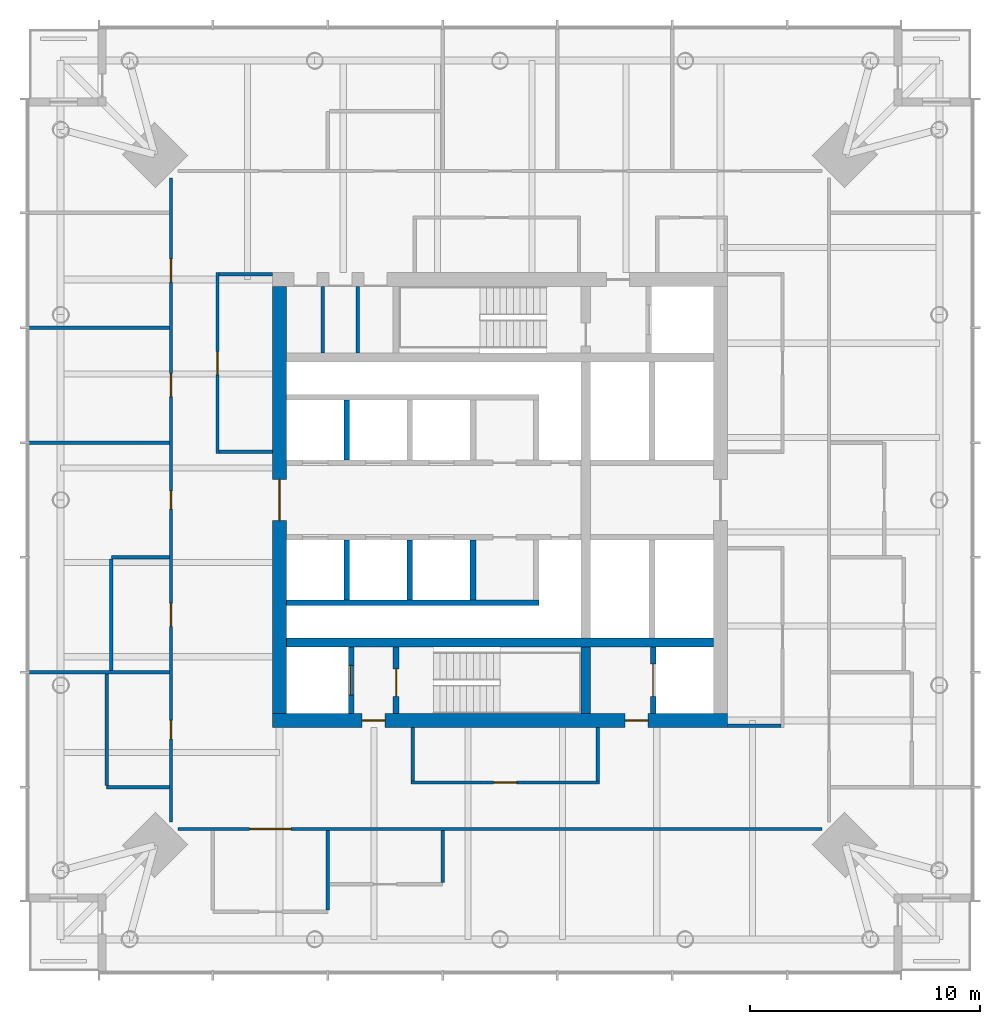
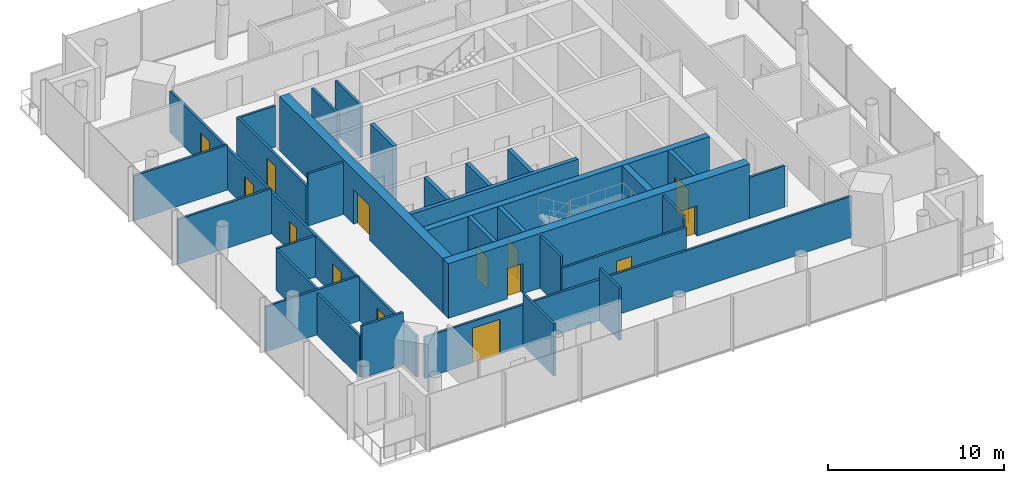
# One storey, part 4 of 8: 32 walls, 14 doors, 14 openings.
"""IFC4 building model written with IfcOpenShell, lengths in metres."""

from ifc_helpers import new_model, si_unit, direction, frame, frame_2d, origin, place, context, subcontext, project, spatial, rectangle, extrude, material, layer, layer_set, type_object, element, fill, save


model = new_model("IFC4")

# Units and contexts
model_context = context("Model", 3, precision=1e-05, world=origin(), true_north=direction((0.0, 1.0)))
body_context = subcontext(model_context, "Body", "Model", "MODEL_VIEW")
ifc_project = project(units=[si_unit("LENGTHUNIT", "METRE"), si_unit("AREAUNIT", "SQUARE_METRE"), si_unit("VOLUMEUNIT", "CUBIC_METRE"), si_unit("PLANEANGLEUNIT", "RADIAN"), si_unit("MASSUNIT", "GRAM", prefix="KILO")], contexts=[model_context])

# Site, building, storey
site_placement = place(None, origin())
site = spatial("IfcSite", under=ifc_project, at=site_placement, CompositionType="ELEMENT")
building_placement = place(site_placement, origin())
building = spatial("IfcBuilding", under=site, at=building_placement, Name="Ostroluk Exchange", CompositionType="ELEMENT")
storey_placement = place(building_placement, frame((0.0, 0.0, 173.0)))
storey = spatial("IfcBuildingStorey", under=building, at=storey_placement, Name="L44", CompositionType="ELEMENT", Elevation=173.0)

# Walls
ifc_material_1 = material(Name="Concrete blockwork", Category="masonry")
ifc_layer_1 = layer(ifc_material_1, 0.14990234375)
ifc_layer_set_1 = layer_set([ifc_layer_1], Name="Blockwork plant room wall 150")
wall_type_1 = type_object("IfcWallType", Name="Blockwork plant room wall 150", PredefinedType="SOLIDWALL", material=ifc_layer_set_1)
for number, where, z_axis, x_axis, name in (
    (1, (37.281005859375, 52.39990234375, 0.0), (0.0, 0.0, 1.0), (0.0, 1.0, 0.0), "Core room wall"),
    (2, (38.8154296875, 52.39990234375, 0.0), (0.0, 0.0, 1.0), (0.0, 1.0, 0.0), "Core room wall"),
):
    element("IfcWall", number, at=place(storey_placement, frame(where, z_axis=z_axis, x_axis=x_axis)), inside=storey, type_object=wall_type_1, Name=name, PredefinedType="SOLIDWALL", context=body_context, shape_type="SweptSolid", body=[
        extrude(rectangle(XDim=2.900146484375, YDim=0.14990234375, at=frame_2d((1.4501953125, 0.0))), origin(), (0.0, 0.0, 1.0), 3.6201171875),
    ])
ifc_material_2 = material(Name="Concrete C50/60", Category="concrete")
ifc_layer_2 = layer(ifc_material_2, 0.39990234375)
ifc_layer_set_2 = layer_set([ifc_layer_2], Name="Core cross wall 400 C50/60")
wall_type_2 = type_object("IfcWallType", Name="Core cross wall 400 C50/60", PredefinedType="SHEAR", material=ifc_layer_set_2)
wall_1_placement = place(storey_placement, frame((35.699951171875, 39.800048828125, 0.0), z_axis=(0.0, 0.0, 1.0), x_axis=(1.0, 0.0, 0.0)))
element("IfcWall", 3, at=wall_1_placement, inside=storey, type_object=wall_type_2, Name="T1 core wall XS", PredefinedType="SHEAR", context=body_context, shape_type="SweptSolid", body=[
    extrude(rectangle(XDim=18.60009765625, YDim=0.39990234375, at=frame_2d((9.300048828125, 0.0))), origin(), (0.0, 0.0, 1.0), 3.800048828125),
])
wall_2_placement = place(storey_placement, frame((48.72998046875, 36.699951171875, 0.0), z_axis=(0.0, 0.0, 1.0), x_axis=(0.0, 1.0, 0.0)))
element("IfcWall", 4, at=wall_2_placement, inside=storey, type_object=wall_type_2, Name="T1 core wall YE1", PredefinedType="SHEAR", context=body_context, shape_type="SweptSolid", body=[
    extrude(rectangle(XDim=2.900146484375, YDim=0.39990234375, at=frame_2d((1.4501953125, 0.0))), origin(), (0.0, 0.0, 1.0), 3.800048828125),
])

# Wall, opening, door
ifc_material_3 = material(Name="Concrete C40/50", Category="concrete")
ifc_layer_3 = layer(ifc_material_3, 0.25)
ifc_layer_set_3 = layer_set([ifc_layer_3], Name="Core shaft wall 250")
wall_type_3 = type_object("IfcWallType", Name="Core shaft wall 250", PredefinedType="SHEAR", material=ifc_layer_set_3)
wall_3_placement = place(storey_placement, frame((38.52490234375, 36.699951171875, 0.0), z_axis=(0.0, 0.0, 1.0), x_axis=(0.0, 1.0, 0.0)))
wall_3 = element("IfcWall", 5, at=wall_3_placement, inside=storey, type_object=wall_type_3, Name="Firefighting lift shaft wall", PredefinedType="SHEAR", context=body_context, shape_type="SweptSolid", body=[
    extrude(rectangle(XDim=2.900146484375, YDim=0.25, at=frame_2d((1.4501953125, 0.0))), origin(), (0.0, 0.0, 1.0), 3.800048828125),
])
opening_1_placement = place(wall_3_placement, frame((0.800048828125, 0.0, 0.0)))
opening_1 = element("IfcOpeningElement", 6, at=opening_1_placement, cuts=wall_3, Name="Opening LD2", PredefinedType="OPENING", context=body_context, shape_type="SweptSolid", body=[
    extrude(rectangle(XDim=1.300048828125, YDim=2.199951171875, at=frame_2d((0.64990234375, 1.10009765625))), frame((0.0, 0.135009765625, 0.0), z_axis=(0.0, -1.0, 0.0), x_axis=(1.0, 0.0, 0.0)), (0.0, 0.0, 1.0), 0.27001953125),
])
ifc_material_4 = material(Name="Stainless steel", Category="steel")
door_type_1 = type_object("IfcDoorType", Name="Lift landing door E 60 1300 x 2200", OperationType="DOUBLE_DOOR_SLIDING", PredefinedType="DOOR", material=ifc_material_4)
door_1_placement = place(opening_1_placement, origin())
door_1 = element("IfcDoor", 7, at=door_1_placement, inside=storey, type_object=door_type_1, Name="Lift FL1 landing door", OperationType="DOUBLE_DOOR_SLIDING", OverallHeight=2.199951171875, OverallWidth=1.300048828125, PredefinedType="DOOR", context=body_context, shape_type="SweptSolid", body=[
    extrude(rectangle(XDim=1.300048828125, YDim=2.199951171875, at=frame_2d((0.64990234375, 1.10009765625))), frame((0.0, 0.02490234375, 0.0), z_axis=(0.0, -1.0, 0.0), x_axis=(1.0, 0.0, 0.0)), (0.0, 0.0, 1.0), 0.050048828125),
])
fill(opening_1, door_1)

wall_4_placement = place(storey_placement, frame((40.47509765625, 36.699951171875, 0.0), z_axis=(0.0, 0.0, 1.0), x_axis=(0.0, 1.0, 0.0)))
wall_4 = element("IfcWall", 8, at=wall_4_placement, inside=storey, type_object=wall_type_3, Name="Stair shaft wall", PredefinedType="SHEAR", context=body_context, shape_type="SweptSolid", body=[
    extrude(rectangle(XDim=2.900146484375, YDim=0.25, at=frame_2d((1.4501953125, 0.0))), origin(), (0.0, 0.0, 1.0), 3.800048828125),
])
opening_2_placement = place(wall_4_placement, frame((0.75, 0.0, 0.0)))
opening_2 = element("IfcOpeningElement", 9, at=opening_2_placement, cuts=wall_4, Name="Opening FD60S", PredefinedType="OPENING", context=body_context, shape_type="SweptSolid", body=[
    extrude(rectangle(XDim=1.199951171875, YDim=2.10009765625, at=frame_2d((0.60009765625, 1.050048828125))), frame((0.0, 0.135009765625, 0.0), z_axis=(0.0, -1.0, 0.0), x_axis=(1.0, 0.0, 0.0)), (0.0, 0.0, 1.0), 0.27001953125),
])
ifc_material_5 = material(Name="Steel", Category="steel")
door_type_2 = type_object("IfcDoorType", Name="Stair door EI 60 1200 x 2100", OperationType="SINGLE_SWING_LEFT", PredefinedType="DOOR", material=ifc_material_5)
door_2_placement = place(opening_2_placement, origin())
door_2 = element("IfcDoor", 10, at=door_2_placement, inside=storey, type_object=door_type_2, Name="Stair T1-S1 door", OperationType="SINGLE_SWING_LEFT", OverallHeight=2.10009765625, OverallWidth=1.199951171875, PredefinedType="DOOR", context=body_context, shape_type="SweptSolid", body=[
    extrude(rectangle(XDim=1.199951171875, YDim=2.10009765625, at=frame_2d((0.60009765625, 1.050048828125))), frame((0.0, 0.02490234375, 0.0), z_axis=(0.0, -1.0, 0.0), x_axis=(1.0, 0.0, 0.0)), (0.0, 0.0, 1.0), 0.050048828125),
])
fill(opening_2, door_2)

wall_5_placement = place(storey_placement, frame((51.675048828125, 36.699951171875, 0.0), z_axis=(0.0, 0.0, 1.0), x_axis=(0.0, 1.0, 0.0)))
wall_5 = element("IfcWall", 11, at=wall_5_placement, inside=storey, type_object=wall_type_3, Name="Service lift shaft wall", PredefinedType="SHEAR", context=body_context, shape_type="SweptSolid", body=[
    extrude(rectangle(XDim=2.900146484375, YDim=0.25, at=frame_2d((1.4501953125, 0.0))), origin(), (0.0, 0.0, 1.0), 3.800048828125),
])
opening_3_placement = place(wall_5_placement, frame((0.75, 0.0, 0.0)))
opening_3 = element("IfcOpeningElement", 12, at=opening_3_placement, cuts=wall_5, Name="Opening LD3", PredefinedType="OPENING", context=body_context, shape_type="SweptSolid", body=[
    extrude(rectangle(XDim=1.39990234375, YDim=2.39990234375, at=frame_2d((0.699951171875, 1.199951171875))), frame((0.0, 0.135009765625, 0.0), z_axis=(0.0, -1.0, 0.0), x_axis=(1.0, 0.0, 0.0)), (0.0, 0.0, 1.0), 0.27001953125),
])
ifc_material_6 = material(Name="Stainless steel", Category="steel")
door_type_3 = type_object("IfcDoorType", Name="Goods lift landing door E 60 1400 x 2400", OperationType="DOUBLE_DOOR_SLIDING", PredefinedType="DOOR", material=ifc_material_6)
door_3_placement = place(opening_3_placement, origin())
door_3 = element("IfcDoor", 13, at=door_3_placement, inside=storey, type_object=door_type_3, Name="Lift SL1 landing door", OperationType="DOUBLE_DOOR_SLIDING", OverallHeight=2.39990234375, OverallWidth=1.39990234375, PredefinedType="DOOR", context=body_context, shape_type="SweptSolid", body=[
    extrude(rectangle(XDim=1.39990234375, YDim=2.39990234375, at=frame_2d((0.699951171875, 1.199951171875))), frame((0.0, 0.02490234375, 0.0), z_axis=(0.0, -1.0, 0.0), x_axis=(1.0, 0.0, 0.0)), (0.0, 0.0, 1.0), 0.050048828125),
])
fill(opening_3, door_3)

# Walls
for number, where, z_axis, x_axis, name in (
    (14, (38.324951171875, 47.75, 0.0), (0.0, 0.0, 1.0), (0.0, 1.0, 0.0), "Lift shaft wall"),
    (15, (38.324951171875, 44.25, 0.0), (0.0, 0.0, 1.0), (0.0, -1.0, 0.0), "Lift shaft wall"),
    (16, (41.074951171875, 44.25, 0.0), (0.0, 0.0, 1.0), (0.0, -1.0, 0.0), "Lift shaft wall"),
    (17, (43.824951171875, 44.25, 0.0), (0.0, 0.0, 1.0), (0.0, -1.0, 0.0), "Lift shaft wall"),
):
    element("IfcWall", number, at=place(storey_placement, frame(where, z_axis=z_axis, x_axis=x_axis)), inside=storey, type_object=wall_type_3, Name=name, PredefinedType="SHEAR", context=body_context, shape_type="SweptSolid", body=[
        extrude(rectangle(XDim=2.60009765625, YDim=0.25, at=frame_2d((1.300048828125, 0.0))), origin(), (0.0, 0.0, 1.0), 3.800048828125),
    ])
wall_6_placement = place(storey_placement, frame((35.699951171875, 41.52490234375, 0.0), z_axis=(0.0, 0.0, 1.0), x_axis=(1.0, 0.0, 0.0)))
element("IfcWall", 18, at=wall_6_placement, inside=storey, type_object=wall_type_3, Name="Lift shaft wall", PredefinedType="SHEAR", context=body_context, shape_type="SweptSolid", body=[
    extrude(rectangle(XDim=11.0, YDim=0.25, at=frame_2d((5.5, 0.0))), origin(), (0.0, 0.0, 1.0), 3.800048828125),
])

# Wall, openings, doors
ifc_material_7 = material(Name="Concrete C50/60", Category="concrete")
ifc_layer_4 = layer(ifc_material_7, 0.60009765625)
ifc_layer_set_4 = layer_set([ifc_layer_4], Name="Core wall 600 C50/60")
wall_type_4 = type_object("IfcWallType", Name="Core wall 600 C50/60", PredefinedType="SHEAR", material=ifc_layer_set_4)
wall_7_placement = place(storey_placement, frame((35.10009765625, 36.39990234375, 0.0), z_axis=(0.0, 0.0, 1.0), x_axis=(1.0, 0.0, 0.0)))
wall_7 = element("IfcWall", 19, at=wall_7_placement, inside=storey, type_object=wall_type_4, Name="T1 core wall S", PredefinedType="SHEAR", context=body_context, shape_type="SweptSolid", body=[
    extrude(rectangle(XDim=19.7998046875, YDim=0.60009765625, at=frame_2d((9.89990234375, 0.0))), origin(), (0.0, 0.0, 1.0), 3.800048828125),
])
opening_4_placement = place(wall_7_placement, frame((3.89990234375, 0.0, 0.0)))
opening_4 = element("IfcOpeningElement", 20, at=opening_4_placement, cuts=wall_7, Name="Opening FD60", PredefinedType="OPENING", context=body_context, shape_type="SweptSolid", body=[
    extrude(rectangle(XDim=1.0, YDim=2.10009765625, at=frame_2d((0.5, 1.050048828125))), frame((0.0, 0.31005859375, 0.0), z_axis=(0.0, -1.0, 0.0), x_axis=(1.0, 0.0, 0.0)), (0.0, 0.0, 1.0), 0.6201171875),
])
opening_5_placement = place(wall_7_placement, frame((15.35009765625, 0.0, 0.0)))
opening_5 = element("IfcOpeningElement", 21, at=opening_5_placement, cuts=wall_7, Name="Opening FD60", PredefinedType="OPENING", context=body_context, shape_type="SweptSolid", body=[
    extrude(rectangle(XDim=1.0, YDim=2.10009765625, at=frame_2d((0.5, 1.050048828125))), frame((0.0, 0.31005859375, 0.0), z_axis=(0.0, -1.0, 0.0), x_axis=(1.0, 0.0, 0.0)), (0.0, 0.0, 1.0), 0.6201171875),
])
ifc_material_8 = material(Name="Steel", Category="steel")
door_type_4 = type_object("IfcDoorType", Name="Fire door EI 60 1000 x 2100", OperationType="SINGLE_SWING_LEFT", PredefinedType="DOOR", material=ifc_material_8)
door_4_placement = place(opening_4_placement, origin())
door_4 = element("IfcDoor", 22, at=door_4_placement, inside=storey, type_object=door_type_4, Name="Firefighting lobby door", OperationType="SINGLE_SWING_LEFT", OverallHeight=2.10009765625, OverallWidth=1.0, PredefinedType="DOOR", context=body_context, shape_type="SweptSolid", body=[
    extrude(rectangle(XDim=1.0, YDim=2.10009765625, at=frame_2d((0.5, 1.050048828125))), frame((0.0, 0.02490234375, 0.0), z_axis=(0.0, -1.0, 0.0), x_axis=(1.0, 0.0, 0.0)), (0.0, 0.0, 1.0), 0.050048828125),
])
fill(opening_4, door_4)
door_5_placement = place(opening_5_placement, origin())
door_5 = element("IfcDoor", 23, at=door_5_placement, inside=storey, type_object=door_type_4, Name="Service lobby door", OperationType="SINGLE_SWING_RIGHT", OverallHeight=2.10009765625, OverallWidth=1.0, PredefinedType="DOOR", context=body_context, shape_type="SweptSolid", body=[
    extrude(rectangle(XDim=1.0, YDim=2.10009765625, at=frame_2d((0.5, 1.050048828125))), frame((0.0, 0.02490234375, 0.0), z_axis=(0.0, -1.0, 0.0), x_axis=(1.0, 0.0, 0.0)), (0.0, 0.0, 1.0), 0.050048828125),
])
fill(opening_5, door_5)

# Wall, opening, door
wall_8_placement = place(storey_placement, frame((35.39990234375, 36.699951171875, 0.0), z_axis=(0.0, 0.0, 1.0), x_axis=(0.0, 1.0, 0.0)))
wall_8 = element("IfcWall", 24, at=wall_8_placement, inside=storey, type_object=wall_type_4, Name="T1 core wall W", PredefinedType="SHEAR", context=body_context, shape_type="SweptSolid", body=[
    extrude(rectangle(XDim=18.60009765625, YDim=0.60009765625, at=frame_2d((9.300048828125, 0.0))), origin(), (0.0, 0.0, 1.0), 3.800048828125),
])
opening_6_placement = place(wall_8_placement, frame((8.39990234375, 0.0, 0.0)))
opening_6 = element("IfcOpeningElement", 25, at=opening_6_placement, cuts=wall_8, Name="Opening FD30D", PredefinedType="OPENING", context=body_context, shape_type="SweptSolid", body=[
    extrude(rectangle(XDim=1.800048828125, YDim=2.39990234375, at=frame_2d((0.89990234375, 1.199951171875))), frame((0.0, 0.31005859375, 0.0), z_axis=(0.0, -1.0, 0.0), x_axis=(1.0, 0.0, 0.0)), (0.0, 0.0, 1.0), 0.6201171875),
])
ifc_material_9 = material(Name="Timber", Category="wood")
door_type_5 = type_object("IfcDoorType", Name="Lobby double door EI 30 1800 x 2400", OperationType="DOUBLE_DOOR_SINGLE_SWING", PredefinedType="DOOR", material=ifc_material_9)
door_6_placement = place(opening_6_placement, origin())
door_6 = element("IfcDoor", 26, at=door_6_placement, inside=storey, type_object=door_type_5, Name="Lift lobby doors", OperationType="DOUBLE_DOOR_SINGLE_SWING", OverallHeight=2.39990234375, OverallWidth=1.800048828125, PredefinedType="DOOR", context=body_context, shape_type="SweptSolid", body=[
    extrude(rectangle(XDim=1.800048828125, YDim=2.39990234375, at=frame_2d((0.89990234375, 1.199951171875))), frame((0.0, 0.02490234375, 0.0), z_axis=(0.0, -1.0, 0.0), x_axis=(1.0, 0.0, 0.0)), (0.0, 0.0, 1.0), 0.050048828125),
])
fill(opening_6, door_6)

# Wall
ifc_material_10 = material(Name="Gypsum plasterboard partition", Category="gypsum")
ifc_layer_5 = layer(ifc_material_10, 0.14990234375)
ifc_layer_set_5 = layer_set([ifc_layer_5], Name="Plasterboard partition 150")
wall_type_5 = type_object("IfcWallType", Name="Plasterboard partition 150", PredefinedType="PARTITIONING", material=ifc_layer_set_5)
wall_9_placement = place(storey_placement, frame((54.89990234375, 36.175048828125, 0.0), z_axis=(0.0, 0.0, 1.0), x_axis=(1.0, 0.0, 0.0)))
element("IfcWall", 27, at=wall_9_placement, inside=storey, type_object=wall_type_5, Name="Partition", PredefinedType="PARTITIONING", context=body_context, shape_type="SweptSolid", body=[
    extrude(rectangle(XDim=2.3251953125, YDim=0.14990234375, at=frame_2d((1.16259765625, 0.0))), origin(), (0.0, 0.0, 1.0), 2.866943359375),
])

# Wall, opening, door
wall_10_placement = place(storey_placement, frame((32.699951171875, 55.89990234375, 0.0), z_axis=(0.0, 0.0, 1.0), x_axis=(0.0, -1.0, 0.0)))
wall_10 = element("IfcWall", 28, at=wall_10_placement, inside=storey, type_object=wall_type_5, Name="Partition", PredefinedType="PARTITIONING", context=body_context, shape_type="SweptSolid", body=[
    extrude(rectangle(XDim=7.875, YDim=0.14990234375, at=frame_2d((3.9375, 0.0))), origin(), (0.0, 0.0, 1.0), 2.866943359375),
])
opening_7_placement = place(wall_10_placement, frame((3.4375, 0.0, 0.0)))
opening_7 = element("IfcOpeningElement", 29, at=opening_7_placement, cuts=wall_10, Name="Opening D-03", PredefinedType="OPENING", context=body_context, shape_type="SweptSolid", body=[
    extrude(rectangle(XDim=1.0, YDim=2.10009765625, at=frame_2d((0.5, 1.050048828125))), frame((0.0, 0.0849609375, 0.0), z_axis=(0.0, -1.0, 0.0), x_axis=(1.0, 0.0, 0.0)), (0.0, 0.0, 1.0), 0.169921875),
])
ifc_material_11 = material(Name="Timber", Category="wood")
door_type_6 = type_object("IfcDoorType", Name="Internal door 1000 x 2100", OperationType="SINGLE_SWING_LEFT", PredefinedType="DOOR", material=ifc_material_11)
door_7_placement = place(opening_7_placement, origin())
door_7 = element("IfcDoor", 30, at=door_7_placement, inside=storey, type_object=door_type_6, Name="Meeting room door", OperationType="SINGLE_SWING_LEFT", OverallHeight=2.10009765625, OverallWidth=1.0, PredefinedType="DOOR", context=body_context, shape_type="SweptSolid", body=[
    extrude(rectangle(XDim=1.0, YDim=2.10009765625, at=frame_2d((0.5, 1.050048828125))), frame((0.0, 0.02490234375, 0.0), z_axis=(0.0, -1.0, 0.0), x_axis=(1.0, 0.0, 0.0)), (0.0, 0.0, 1.0), 0.050048828125),
])
fill(opening_7, door_7)

# Walls
wall_11_placement = place(storey_placement, frame((35.10009765625, 55.824951171875, 0.0), z_axis=(0.0, 0.0, 1.0), x_axis=(-1.0, 0.0, 0.0)))
element("IfcWall", 31, at=wall_11_placement, inside=storey, type_object=wall_type_5, Name="Partition", PredefinedType="PARTITIONING", context=body_context, shape_type="SweptSolid", body=[
    extrude(rectangle(XDim=2.3251953125, YDim=0.14990234375, at=frame_2d((1.16259765625, 0.0))), origin(), (0.0, 0.0, 1.0), 2.866943359375),
])
wall_12_placement = place(storey_placement, frame((35.10009765625, 48.10009765625, 0.0), z_axis=(0.0, 0.0, 1.0), x_axis=(-1.0, 0.0, 0.0)))
element("IfcWall", 32, at=wall_12_placement, inside=storey, type_object=wall_type_5, Name="Partition", PredefinedType="PARTITIONING", context=body_context, shape_type="SweptSolid", body=[
    extrude(rectangle(XDim=2.3251953125, YDim=0.14990234375, at=frame_2d((1.16259765625, 0.0))), origin(), (0.0, 0.0, 1.0), 3.6201171875),
])

# Wall, opening, door
wall_13_placement = place(storey_placement, frame((41.125, 33.699951171875, 0.0), z_axis=(0.0, 0.0, 1.0), x_axis=(1.0, 0.0, 0.0)))
wall_13 = element("IfcWall", 33, at=wall_13_placement, inside=storey, type_object=wall_type_5, Name="Partition", PredefinedType="PARTITIONING", context=body_context, shape_type="SweptSolid", body=[
    extrude(rectangle(XDim=8.199951171875, YDim=0.14990234375, at=frame_2d((4.10009765625, 0.0))), origin(), (0.0, 0.0, 1.0), 2.866943359375),
])
opening_8_placement = place(wall_13_placement, frame((3.60009765625, 0.0, 0.0)))
opening_8 = element("IfcOpeningElement", 34, at=opening_8_placement, cuts=wall_13, Name="Opening D-03", PredefinedType="OPENING", context=body_context, shape_type="SweptSolid", body=[
    extrude(rectangle(XDim=1.0, YDim=2.10009765625, at=frame_2d((0.5, 1.050048828125))), frame((0.0, 0.0849609375, 0.0), z_axis=(0.0, -1.0, 0.0), x_axis=(1.0, 0.0, 0.0)), (0.0, 0.0, 1.0), 0.169921875),
])
door_8_placement = place(opening_8_placement, origin())
door_8 = element("IfcDoor", 35, at=door_8_placement, inside=storey, type_object=door_type_6, Name="Meeting room door", OperationType="SINGLE_SWING_LEFT", OverallHeight=2.10009765625, OverallWidth=1.0, PredefinedType="DOOR", context=body_context, shape_type="SweptSolid", body=[
    extrude(rectangle(XDim=1.0, YDim=2.10009765625, at=frame_2d((0.5, 1.050048828125))), frame((0.0, 0.02490234375, 0.0), z_axis=(0.0, -1.0, 0.0), x_axis=(1.0, 0.0, 0.0)), (0.0, 0.0, 1.0), 0.050048828125),
])
fill(opening_8, door_8)

# Walls
for number, where, z_axis, x_axis, name in (
    (36, (41.199951171875, 36.10009765625, 0.0), (0.0, 0.0, 1.0), (0.0, -1.0, 0.0), "Partition"),
    (37, (49.25, 36.10009765625, 0.0), (0.0, 0.0, 1.0), (0.0, -1.0, 0.0), "Partition"),
):
    element("IfcWall", number, at=place(storey_placement, frame(where, z_axis=z_axis, x_axis=x_axis)), inside=storey, type_object=wall_type_5, Name=name, PredefinedType="PARTITIONING", context=body_context, shape_type="SweptSolid", body=[
        extrude(rectangle(XDim=2.3251953125, YDim=0.14990234375, at=frame_2d((1.16259765625, 0.0))), origin(), (0.0, 0.0, 1.0), 3.6201171875),
    ])

# Wall, openings, doors
wall_14_placement = place(storey_placement, frame((30.675048828125, 60.028564453125, 0.0), z_axis=(0.0, 0.0, 1.0), x_axis=(0.0, -1.0, 0.0)))
wall_14 = element("IfcWall", 38, at=wall_14_placement, inside=storey, type_object=wall_type_5, Name="Partition", PredefinedType="PARTITIONING", context=body_context, shape_type="SweptSolid", body=[
    extrude(rectangle(XDim=28.05712890625, YDim=0.14990234375, at=frame_2d((14.028564453125, 0.0))), origin(), (0.0, 0.0, 1.0), 2.866943359375),
])
opening_9_placement = place(wall_14_placement, frame((3.528564453125, 0.0, 0.0)))
opening_9 = element("IfcOpeningElement", 39, at=opening_9_placement, cuts=wall_14, Name="Opening D-03", PredefinedType="OPENING", context=body_context, shape_type="SweptSolid", body=[
    extrude(rectangle(XDim=1.0, YDim=2.10009765625, at=frame_2d((0.5, 1.050048828125))), frame((0.0, 0.0849609375, 0.0), z_axis=(0.0, -1.0, 0.0), x_axis=(1.0, 0.0, 0.0)), (0.0, 0.0, 1.0), 0.169921875),
])
opening_10_placement = place(wall_14_placement, frame((8.528564453125, 0.0, 0.0)))
opening_10 = element("IfcOpeningElement", 40, at=opening_10_placement, cuts=wall_14, Name="Opening D-03", PredefinedType="OPENING", context=body_context, shape_type="SweptSolid", body=[
    extrude(rectangle(XDim=1.0, YDim=2.10009765625, at=frame_2d((0.5, 1.050048828125))), frame((0.0, 0.0849609375, 0.0), z_axis=(0.0, -1.0, 0.0), x_axis=(1.0, 0.0, 0.0)), (0.0, 0.0, 1.0), 0.169921875),
])
opening_11_placement = place(wall_14_placement, frame((13.628662109375, 0.0, 0.0)))
opening_11 = element("IfcOpeningElement", 41, at=opening_11_placement, cuts=wall_14, Name="Opening D-06", PredefinedType="OPENING", context=body_context, shape_type="SweptSolid", body=[
    extrude(rectangle(XDim=0.800048828125, YDim=2.10009765625, at=frame_2d((0.39990234375, 1.050048828125))), frame((0.0, 0.0849609375, 0.0), z_axis=(0.0, -1.0, 0.0), x_axis=(1.0, 0.0, 0.0)), (0.0, 0.0, 1.0), 0.169921875),
])
opening_12_placement = place(wall_14_placement, frame((18.528564453125, 0.0, 0.0)))
opening_12 = element("IfcOpeningElement", 42, at=opening_12_placement, cuts=wall_14, Name="Opening D-03", PredefinedType="OPENING", context=body_context, shape_type="SweptSolid", body=[
    extrude(rectangle(XDim=1.0, YDim=2.10009765625, at=frame_2d((0.5, 1.050048828125))), frame((0.0, 0.0849609375, 0.0), z_axis=(0.0, -1.0, 0.0), x_axis=(1.0, 0.0, 0.0)), (0.0, 0.0, 1.0), 0.169921875),
])
opening_13_placement = place(wall_14_placement, frame((23.628662109375, 0.0, 0.0)))
opening_13 = element("IfcOpeningElement", 43, at=opening_13_placement, cuts=wall_14, Name="Opening D-06", PredefinedType="OPENING", context=body_context, shape_type="SweptSolid", body=[
    extrude(rectangle(XDim=0.800048828125, YDim=2.10009765625, at=frame_2d((0.39990234375, 1.050048828125))), frame((0.0, 0.0849609375, 0.0), z_axis=(0.0, -1.0, 0.0), x_axis=(1.0, 0.0, 0.0)), (0.0, 0.0, 1.0), 0.169921875),
])
door_9_placement = place(opening_9_placement, origin())
door_9 = element("IfcDoor", 44, at=door_9_placement, inside=storey, type_object=door_type_6, Name="Office door", OperationType="SINGLE_SWING_LEFT", OverallHeight=2.10009765625, OverallWidth=1.0, PredefinedType="DOOR", context=body_context, shape_type="SweptSolid", body=[
    extrude(rectangle(XDim=1.0, YDim=2.10009765625, at=frame_2d((0.5, 1.050048828125))), frame((0.0, 0.02490234375, 0.0), z_axis=(0.0, -1.0, 0.0), x_axis=(1.0, 0.0, 0.0)), (0.0, 0.0, 1.0), 0.050048828125),
])
fill(opening_9, door_9)
door_10_placement = place(opening_10_placement, origin())
door_10 = element("IfcDoor", 45, at=door_10_placement, inside=storey, type_object=door_type_6, Name="Meeting room door", OperationType="SINGLE_SWING_LEFT", OverallHeight=2.10009765625, OverallWidth=1.0, PredefinedType="DOOR", context=body_context, shape_type="SweptSolid", body=[
    extrude(rectangle(XDim=1.0, YDim=2.10009765625, at=frame_2d((0.5, 1.050048828125))), frame((0.0, 0.02490234375, 0.0), z_axis=(0.0, -1.0, 0.0), x_axis=(1.0, 0.0, 0.0)), (0.0, 0.0, 1.0), 0.050048828125),
])
fill(opening_10, door_10)
door_11_placement = place(opening_12_placement, origin())
door_11 = element("IfcDoor", 46, at=door_11_placement, inside=storey, type_object=door_type_6, Name="Accessible WC door", OperationType="SINGLE_SWING_RIGHT", OverallHeight=2.10009765625, OverallWidth=1.0, PredefinedType="DOOR", context=body_context, shape_type="SweptSolid", body=[
    extrude(rectangle(XDim=1.0, YDim=2.10009765625, at=frame_2d((0.5, 1.050048828125))), frame((0.0, 0.02490234375, 0.0), z_axis=(0.0, -1.0, 0.0), x_axis=(1.0, 0.0, 0.0)), (0.0, 0.0, 1.0), 0.050048828125),
])
fill(opening_12, door_11)
ifc_material_12 = material(Name="Timber", Category="wood")
door_type_7 = type_object("IfcDoorType", Name="Toilet door 800 x 2100", OperationType="SINGLE_SWING_LEFT", PredefinedType="DOOR", material=ifc_material_12)
door_12_placement = place(opening_11_placement, origin())
door_12 = element("IfcDoor", 47, at=door_12_placement, inside=storey, type_object=door_type_7, Name="WC female door", OperationType="SINGLE_SWING_LEFT", OverallHeight=2.10009765625, OverallWidth=0.800048828125, PredefinedType="DOOR", context=body_context, shape_type="SweptSolid", body=[
    extrude(rectangle(XDim=0.800048828125, YDim=2.10009765625, at=frame_2d((0.39990234375, 1.050048828125))), frame((0.0, 0.02490234375, 0.0), z_axis=(0.0, -1.0, 0.0), x_axis=(1.0, 0.0, 0.0)), (0.0, 0.0, 1.0), 0.050048828125),
])
fill(opening_11, door_12)
door_13_placement = place(opening_13_placement, origin())
door_13 = element("IfcDoor", 48, at=door_13_placement, inside=storey, type_object=door_type_7, Name="WC male door", OperationType="SINGLE_SWING_RIGHT", OverallHeight=2.10009765625, OverallWidth=0.800048828125, PredefinedType="DOOR", context=body_context, shape_type="SweptSolid", body=[
    extrude(rectangle(XDim=0.800048828125, YDim=2.10009765625, at=frame_2d((0.39990234375, 1.050048828125))), frame((0.0, 0.02490234375, 0.0), z_axis=(0.0, -1.0, 0.0), x_axis=(1.0, 0.0, 0.0)), (0.0, 0.0, 1.0), 0.050048828125),
])
fill(opening_13, door_13)

# Walls
for number, where, z_axis, x_axis, name in (
    (49, (30.60009765625, 53.5, 0.0), (0.0, 0.0, 1.0), (-1.0, 0.0, 0.0), "Partition"),
    (50, (30.60009765625, 48.5, 0.0), (0.0, 0.0, 1.0), (-1.0, 0.0, 0.0), "Partition"),
):
    element("IfcWall", number, at=place(storey_placement, frame(where, z_axis=z_axis, x_axis=x_axis)), inside=storey, type_object=wall_type_5, Name=name, PredefinedType="PARTITIONING", context=body_context, shape_type="SweptSolid", body=[
        extrude(rectangle(XDim=6.14013671875, YDim=0.14990234375, at=frame_2d((3.070068359375, 0.0))), origin(), (0.0, 0.0, 1.0), 3.1201171875),
    ])
wall_15_placement = place(storey_placement, frame((30.60009765625, 43.5, 0.0), z_axis=(0.0, 0.0, 1.0), x_axis=(-1.0, 0.0, 0.0)))
element("IfcWall", 51, at=wall_15_placement, inside=storey, type_object=wall_type_5, Name="Partition", PredefinedType="PARTITIONING", context=body_context, shape_type="SweptSolid", body=[
    extrude(rectangle(XDim=2.525146484375, YDim=0.14990234375, at=frame_2d((1.2626953125, 0.0))), origin(), (0.0, 0.0, 1.0), 2.866943359375),
])
wall_16_placement = place(storey_placement, frame((30.60009765625, 38.5, 0.0), z_axis=(0.0, 0.0, 1.0), x_axis=(-1.0, 0.0, 0.0)))
element("IfcWall", 52, at=wall_16_placement, inside=storey, type_object=wall_type_5, Name="Partition", PredefinedType="PARTITIONING", context=body_context, shape_type="SweptSolid", body=[
    extrude(rectangle(XDim=6.14013671875, YDim=0.14990234375, at=frame_2d((3.070068359375, 0.0))), origin(), (0.0, 0.0, 1.0), 3.1201171875),
])
wall_17_placement = place(storey_placement, frame((30.60009765625, 33.5, 0.0), z_axis=(0.0, 0.0, 1.0), x_axis=(-1.0, 0.0, 0.0)))
element("IfcWall", 53, at=wall_17_placement, inside=storey, type_object=wall_type_5, Name="Partition", PredefinedType="PARTITIONING", context=body_context, shape_type="SweptSolid", body=[
    extrude(rectangle(XDim=2.72509765625, YDim=0.14990234375, at=frame_2d((1.362548828125, 0.0))), origin(), (0.0, 0.0, 1.0), 3.6201171875),
])

# Wall, opening, door
wall_18_placement = place(storey_placement, frame((30.971435546875, 31.675048828125, 0.0), z_axis=(0.0, 0.0, 1.0), x_axis=(1.0, 0.0, 0.0)))
wall_18 = element("IfcWall", 54, at=wall_18_placement, inside=storey, type_object=wall_type_5, Name="Partition", PredefinedType="PARTITIONING", context=body_context, shape_type="SweptSolid", body=[
    extrude(rectangle(XDim=28.05712890625, YDim=0.14990234375, at=frame_2d((14.028564453125, 0.0))), origin(), (0.0, 0.0, 1.0), 2.866943359375),
])
opening_14_placement = place(wall_18_placement, frame((3.128662109375, 0.0, 0.0)))
opening_14 = element("IfcOpeningElement", 55, at=opening_14_placement, cuts=wall_18, Name="Opening D-04", PredefinedType="OPENING", context=body_context, shape_type="SweptSolid", body=[
    extrude(rectangle(XDim=1.800048828125, YDim=2.39990234375, at=frame_2d((0.89990234375, 1.199951171875))), frame((0.0, 0.0849609375, 0.0), z_axis=(0.0, -1.0, 0.0), x_axis=(1.0, 0.0, 0.0)), (0.0, 0.0, 1.0), 0.169921875),
])
ifc_material_13 = material(Name="Timber", Category="wood")
door_type_8 = type_object("IfcDoorType", Name="Double door 1800 x 2400", OperationType="DOUBLE_DOOR_SINGLE_SWING", PredefinedType="DOOR", material=ifc_material_13)
door_14_placement = place(opening_14_placement, origin())
door_14 = element("IfcDoor", 56, at=door_14_placement, inside=storey, type_object=door_type_8, Name="Office reception door", OperationType="DOUBLE_DOOR_SINGLE_SWING", OverallHeight=2.39990234375, OverallWidth=1.800048828125, PredefinedType="DOOR", context=body_context, shape_type="SweptSolid", body=[
    extrude(rectangle(XDim=1.800048828125, YDim=2.39990234375, at=frame_2d((0.89990234375, 1.199951171875))), frame((0.0, 0.02490234375, 0.0), z_axis=(0.0, -1.0, 0.0), x_axis=(1.0, 0.0, 0.0)), (0.0, 0.0, 1.0), 0.050048828125),
])
fill(opening_14, door_14)

# Walls
wall_19_placement = place(storey_placement, frame((37.5, 31.60009765625, 0.0), z_axis=(0.0, 0.0, 1.0), x_axis=(0.0, -1.0, 0.0)))
element("IfcWall", 57, at=wall_19_placement, inside=storey, type_object=wall_type_5, Name="Partition", PredefinedType="PARTITIONING", context=body_context, shape_type="SweptSolid", body=[
    extrude(rectangle(XDim=3.45361328125, YDim=0.14990234375, at=frame_2d((1.726806640625, 0.0))), origin(), (0.0, 0.0, 1.0), 3.6201171875),
])
wall_20_placement = place(storey_placement, frame((42.5, 31.60009765625, 0.0), z_axis=(0.0, 0.0, 1.0), x_axis=(0.0, -1.0, 0.0)))
element("IfcWall", 58, at=wall_20_placement, inside=storey, type_object=wall_type_5, Name="Partition", PredefinedType="PARTITIONING", context=body_context, shape_type="SweptSolid", body=[
    extrude(rectangle(XDim=2.25244140625, YDim=0.14990234375, at=frame_2d((1.126220703125, 0.0))), origin(), (0.0, 0.0, 1.0), 3.6201171875),
])
ifc_material_14 = material(Name="Gypsum plasterboard partition, moisture resistant", Category="gypsum")
ifc_layer_6 = layer(ifc_material_14, 0.14990234375)
ifc_layer_set_6 = layer_set([ifc_layer_6], Name="Plasterboard toilet partition 150")
wall_type_6 = type_object("IfcWallType", Name="Plasterboard toilet partition 150", PredefinedType="PARTITIONING", material=ifc_layer_set_6)
for number, where, z_axis, x_axis, name in (
    (59, (28.074951171875, 43.425048828125, 0.0), (0.0, 0.0, 1.0), (0.0, -1.0, 0.0), "Toilet partition"),
    (60, (27.875, 38.425048828125, 0.0), (0.0, 0.0, 1.0), (0.0, -1.0, 0.0), "Toilet partition"),
):
    element("IfcWall", number, at=place(storey_placement, frame(where, z_axis=z_axis, x_axis=x_axis)), inside=storey, type_object=wall_type_6, Name=name, PredefinedType="PARTITIONING", context=body_context, shape_type="SweptSolid", body=[
        extrude(rectangle(XDim=4.85009765625, YDim=0.14990234375, at=frame_2d((2.425048828125, 0.0))), origin(), (0.0, 0.0, 1.0), 2.866943359375),
    ])

save(model, "model.ifc")
